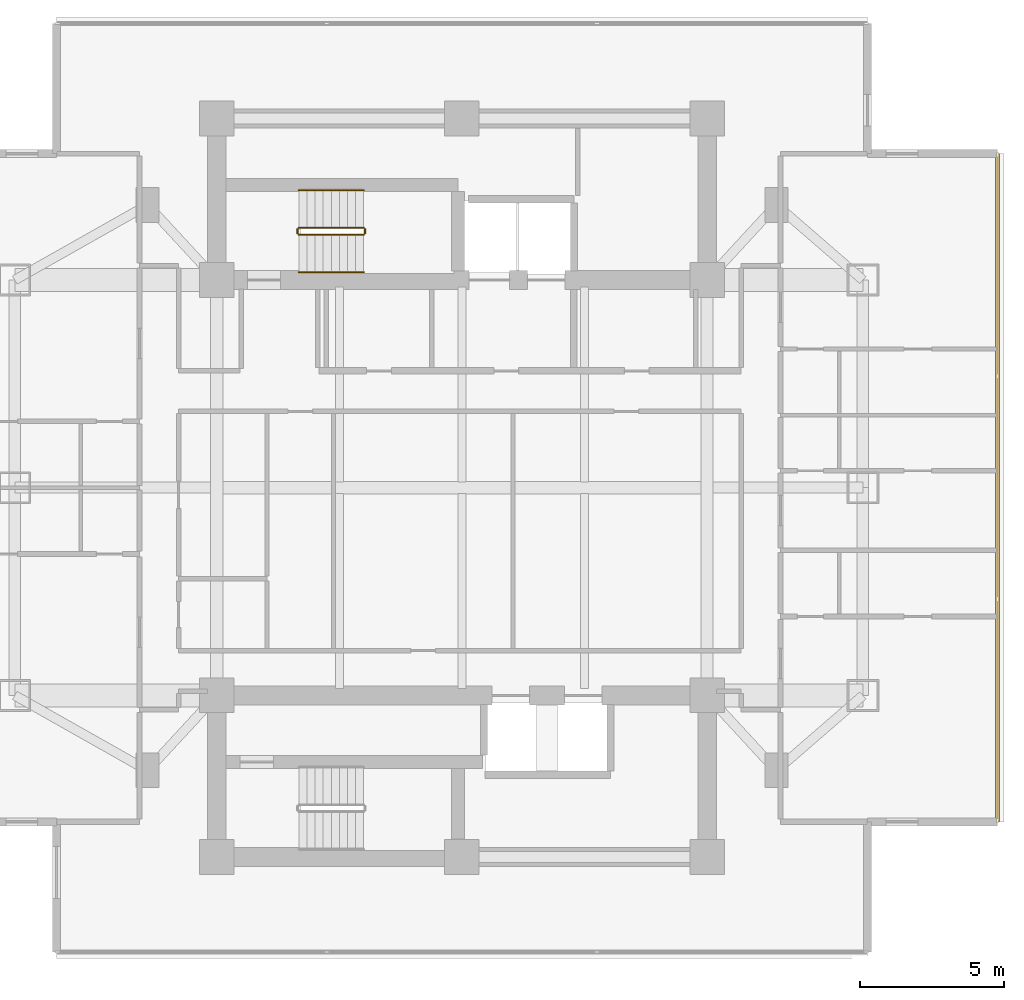
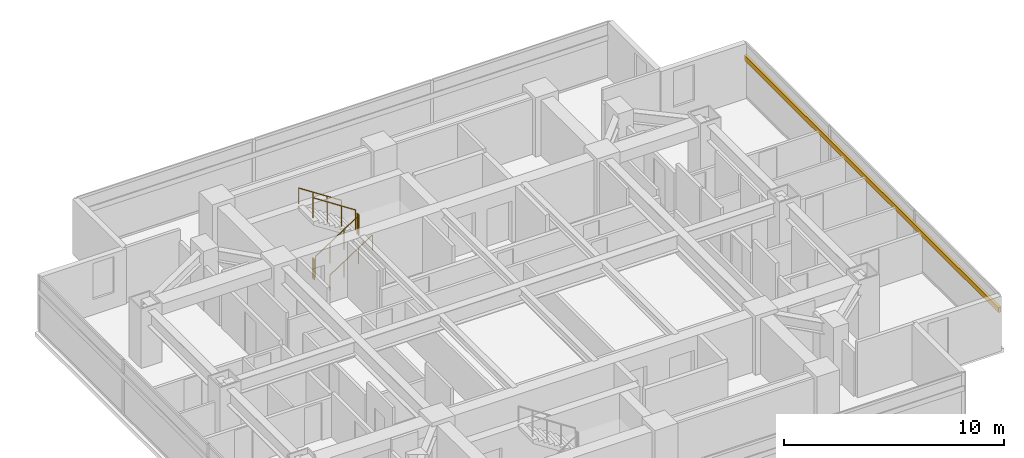
# One storey, part 25 of 26: 6 railings, 1 shading device.
"""IFC4 building model written with IfcOpenShell, lengths in metres."""

import ifcopenshell
import ifcopenshell.guid

model = None  # the IFC model being written
_history = None  # IfcOwnerHistory: only IFC2X3 demands one
_inside = {}  # id of a spatial element -> (the spatial element, [elements in it])
_under = {}  # id of a project, library or spatial element -> (it, [spatial elements below it])
_declared = {}  # id of a project -> (the project, [libraries it declares])
_typed = {}  # id of a type object -> (the type object, [elements of that type])
_made_of = {}  # id of a material, layer set ... -> (it, [elements and type objects made of it])


def new_model(schema):
    """Start an empty IFC model of exactly this schema.

    Asked for "IFC4X3", IfcOpenShell would pick the latest addendum, in which some entities
    have other attributes; the version numbers below select the first issue.
    IFC2X3 requires an IfcOwnerHistory on every rooted entity: one is made here for all.
    """
    global model, _history
    if schema == "IFC4X3":
        model = ifcopenshell.file(schema_version=(4, 3, 0, 0))
    else:
        model = ifcopenshell.file(schema=schema)
    _inside.clear()
    _under.clear()
    _declared.clear()
    _typed.clear()
    _made_of.clear()
    _history = None
    if model.schema == "IFC2X3":
        org = make("IfcOrganization", Name="unknown")
        user = make(
            "IfcPersonAndOrganization",
            ThePerson=make("IfcPerson", FamilyName="unknown"),
            TheOrganization=org,
        )
        app = make(
            "IfcApplication",
            ApplicationDeveloper=org,
            Version="unknown",
            ApplicationFullName="unknown",
            ApplicationIdentifier="unknown",
        )
        _history = make(
            "IfcOwnerHistory",
            OwningUser=user,
            OwningApplication=app,
            ChangeAction="ADDED",
            CreationDate=0,
        )
    return model


def make(cls, **values):
    """One entity of the class cls with the attributes given. An attribute that is None is left unset."""
    return model.create_entity(
        cls, **{name: value for name, value in values.items() if value is not None}
    )


def rooted(cls, **values):
    """An entity with a GlobalId (a new one), such as an element, a storey or a relation."""
    return make(cls, GlobalId=ifcopenshell.guid.new(), OwnerHistory=_history, **values)


def si_unit(unit_type, name, prefix=None):
    """IfcSIUnit, for example si_unit("LENGTHUNIT", "METRE", prefix="MILLI")."""
    return make("IfcSIUnit", UnitType=unit_type, Prefix=prefix, Name=name)


def assignment(units):
    """IfcUnitAssignment: the units of a project."""
    return None if units is None else make("IfcUnitAssignment", Units=units)


def point(xyz):
    """IfcCartesianPoint."""
    return None if xyz is None else make("IfcCartesianPoint", Coordinates=xyz)


def direction(xyz):
    """IfcDirection."""
    return None if xyz is None else make("IfcDirection", DirectionRatios=xyz)


def frame(location, z_axis=None, x_axis=None):
    """IfcAxis2Placement3D, a coordinate frame: its origin and axes. An axis left out is left unset."""
    return make(
        "IfcAxis2Placement3D",
        Location=point(location),
        Axis=direction(z_axis),
        RefDirection=direction(x_axis),
    )


def frame_2d(location, x_axis=None):
    """IfcAxis2Placement2D, a coordinate frame in the plane: its origin and x axis."""
    return make(
        "IfcAxis2Placement2D", Location=point(location), RefDirection=direction(x_axis)
    )


def origin():
    """The frame at (0, 0, 0) with its axes left unset."""
    return frame((0.0, 0.0, 0.0))


def origin_2d():
    """The frame at (0, 0) in the plane with its x axis left unset."""
    return frame_2d((0.0, 0.0))


def place(relative_to, where):
    """IfcLocalPlacement: puts the frame where relative to a parent placement (None: the world)."""
    return make(
        "IfcLocalPlacement", PlacementRelTo=relative_to, RelativePlacement=where
    )


def context(
    kind, dimensions, precision=None, world=None, true_north=None, identifier=None
):
    """IfcGeometricRepresentationContext, for example the 3D "Model" context."""
    return make(
        "IfcGeometricRepresentationContext",
        ContextIdentifier=identifier,
        ContextType=kind,
        CoordinateSpaceDimension=dimensions,
        Precision=precision,
        WorldCoordinateSystem=world,
        TrueNorth=true_north,
    )


def subcontext(parent, identifier, kind, view, scale=None):
    """IfcGeometricRepresentationSubContext, for example "Body" below "Model"."""
    return make(
        "IfcGeometricRepresentationSubContext",
        ContextIdentifier=identifier,
        ContextType=kind,
        ParentContext=parent,
        TargetScale=scale,
        TargetView=view,
    )


def project(units=None, contexts=None):
    """IfcProject with its units and contexts."""
    return rooted(
        "IfcProject",
        Name="project",
        RepresentationContexts=contexts,
        UnitsInContext=assignment(units),
    )


def spatial(cls, under=None, at=None, **own):
    """A site, building, storey or space (cls), placed at a placement, below another one or the project."""
    s = rooted(cls, ObjectPlacement=at, **own)
    if under is not None:
        _under.setdefault(under.id(), (under, []))[1].append(s)
    return s


def profile(cls, at=None, kind="AREA", **sizes):
    """A parametric profile (cls). Its sizes go by their IFC names, for example OverallWidth=200.0."""
    return make(cls, ProfileType=kind, Position=at, **sizes)


def rectangle(**sizes):
    """IfcRectangleProfileDef."""
    return profile("IfcRectangleProfileDef", **sizes)


def circle(**sizes):
    """IfcCircleProfileDef."""
    return profile("IfcCircleProfileDef", **sizes)


def extrude(swept, where, along, depth):
    """IfcExtrudedAreaSolid: the profile swept, set in the frame where, extruded along a direction by depth."""
    return make(
        "IfcExtrudedAreaSolid",
        SweptArea=swept,
        Position=where,
        ExtrudedDirection=direction(along),
        Depth=depth,
    )


def shape(context_of_items, identifier, shape_type, items):
    """IfcShapeRepresentation: the items that make up one representation, for example the "Body"."""
    return make(
        "IfcShapeRepresentation",
        ContextOfItems=context_of_items,
        RepresentationIdentifier=identifier,
        RepresentationType=shape_type,
        Items=items,
    )


def material(Name=None, Category=None):
    """IfcMaterial."""
    return make("IfcMaterial", Name=Name, Category=Category)


def material_profile(
    of_material, cross_section, Name=None, Category=None, Priority=None
):
    """IfcMaterialProfile: a cross section and its material."""
    return make(
        "IfcMaterialProfile",
        Name=Name,
        Material=of_material,
        Profile=cross_section,
        Priority=Priority,
        Category=Category,
    )


def profile_set(profiles, Name=None, composite=None):
    """IfcMaterialProfileSet."""
    return make(
        "IfcMaterialProfileSet",
        Name=Name,
        MaterialProfiles=profiles,
        CompositeProfile=composite,
    )


def made_of(thing, what):
    """Note that an element or type object is made of a material, layer set ...; save() writes the relation."""
    if what is not None:
        _made_of.setdefault(what.id(), (what, []))[1].append(thing)
    return thing


def type_object(cls, material=None, **own):
    """A type object (cls), such as IfcWallType, which elements share."""
    return made_of(rooted(cls, **own), material)


def element(
    cls,
    number,
    at=None,
    inside=None,
    cuts=None,
    type_object=None,
    material=None,
    context=None,
    identifier="Body",
    shape_type=None,
    held_by="IfcProductDefinitionShape",
    body=None,
    shapes=None,
    **own,
):
    """One element of the class cls, such as IfcWall. Its Tag is "e" and its number.

    at: its placement. inside: the storey or other place that contains it. cuts: it is an
    opening in that element (IfcRelVoidsElement). A single representation is given by context,
    identifier, shape_type and body (its items); several are given by shapes. held_by: the class
    of the entity that holds the representations. save() writes the other relations.
    """
    e = rooted(cls, Tag="e%d" % number, ObjectPlacement=at, **own)
    if body is not None:
        shapes = [shape(context, identifier, shape_type, body)]
    if shapes is not None:
        e.Representation = make(held_by, Representations=shapes)
    if inside is not None:
        _inside.setdefault(inside.id(), (inside, []))[1].append(e)
    if cuts is not None:
        rooted(
            "IfcRelVoidsElement", RelatingBuildingElement=cuts, RelatedOpeningElement=e
        )
    if type_object is not None:
        _typed.setdefault(type_object.id(), (type_object, []))[1].append(e)
    return made_of(e, material)


def aggregate(whole, parts):
    """IfcRelAggregates: a whole, such as a stair, and the parts it consists of."""
    return rooted("IfcRelAggregates", RelatingObject=whole, RelatedObjects=parts)


def save(model, path):
    """Write the relations noted so far, then the file.

    IfcRelAggregates (storeys below a building ...), IfcRelContainedInSpatialStructure (elements
    in a storey), IfcRelDefinesByType, IfcRelAssociatesMaterial and IfcRelDeclares: one each for
    every whole, place, type object, material and project.
    """
    for whole, parts in _under.values():
        aggregate(whole, parts)
    for where, things in _inside.values():
        rooted(
            "IfcRelContainedInSpatialStructure",
            RelatedElements=things,
            RelatingStructure=where,
        )
    for kind, things in _typed.values():
        rooted("IfcRelDefinesByType", RelatedObjects=things, RelatingType=kind)
    for what, things in _made_of.values():
        rooted("IfcRelAssociatesMaterial", RelatedObjects=things, RelatingMaterial=what)
    for by, libraries in _declared.values():
        rooted("IfcRelDeclares", RelatingContext=by, RelatedDefinitions=libraries)
    model.write(path)


model = new_model("IFC4")

# Units and contexts
model_context = context("Model", 3, precision=1e-05, world=origin(), true_north=direction((0.0, 1.0)))
body_context = subcontext(model_context, "Body", "Model", "MODEL_VIEW")
ifc_project = project(units=[si_unit("LENGTHUNIT", "METRE"), si_unit("AREAUNIT", "SQUARE_METRE"), si_unit("VOLUMEUNIT", "CUBIC_METRE"), si_unit("PLANEANGLEUNIT", "RADIAN"), si_unit("MASSUNIT", "GRAM", prefix="KILO")], contexts=[model_context])

# Site, building, storey
site_placement = place(None, origin())
site = spatial("IfcSite", under=ifc_project, at=site_placement, CompositionType="ELEMENT")
building_placement = place(site_placement, origin())
building = spatial("IfcBuilding", under=site, at=building_placement, Name="Mirazonda Arch Towers", CompositionType="ELEMENT")
storey_placement = place(building_placement, frame((0.0, 0.0, 108.199951171875)))
storey = spatial("IfcBuildingStorey", under=building, at=storey_placement, Name="L30", CompositionType="ELEMENT", Elevation=108.199951171875)

# Shading device
ifc_material_1 = material(Name="Kiln-Fired Architectural Terracotta", Category="masonry")
ifc_material_profile = material_profile(ifc_material_1, rectangle(XDim=0.139892578125, YDim=0.280029296875, at=origin_2d()), Name="TERRA-BAG-140x280")
ifc_profile_set = profile_set([ifc_material_profile], Name="Kiln-Fired Architectural Terracotta")
shading_device_type = type_object("IfcShadingDeviceType", Name="BAGUETTE-3", PredefinedType="USERDEFINED", material=ifc_profile_set)
shading_device_placement = place(storey_placement, frame((95.070556640625, 16.4189453125, 2.203369140625), z_axis=(0.0, 1.0, 0.0), x_axis=(-1.0, 0.0, 0.0)))
element("IfcShadingDevice", 1, at=shading_device_placement, inside=storey, type_object=shading_device_type, Name="L30 Glazed Terracotta Sun-Screen Baguette CW-L30-T2-E", ObjectType="BAGUETTE", PredefinedType="USERDEFINED", context=body_context, shape_type="SweptSolid", body=[
    extrude(rectangle(XDim=0.139892578125, YDim=0.280029296875, at=origin_2d()), origin(), (0.0, 0.0, 1.0), 23.162109375),
])

# Railings
ifc_material_2 = material(Name="Architectural Brushed Steel S355", Category="steel")
railing_type_1 = type_object("IfcRailingType", Name="GUARD-STAIR-1120", PredefinedType="GUARDRAIL", material=ifc_material_2)
railing_1_placement = place(storey_placement, frame((70.85009765625, 36.77001953125, 0.183349609375)))
element("IfcRailing", 2, at=railing_1_placement, inside=storey, type_object=railing_type_1, Name="L30 ST-T2N stair guard 1", PredefinedType="GUARDRAIL", context=body_context, shape_type="SweptSolid", body=[
    extrude(circle(Radius=0.02392578125, at=origin_2d()), frame((0.0, 0.0, 1.1259765625), z_axis=(0.836595146698, 0.0, 0.547821650285), x_axis=(0.0, 1.0, 0.0)), (0.0, 0.0, 1.0), 2.677490234375),
    extrude(circle(Radius=0.02099609375, at=origin_2d()), origin(), (0.0, 0.0, 1.0), 1.101806640625),
    extrude(circle(Radius=0.02099609375, at=origin_2d()), frame((0.74658203125, 0.0, 0.489013671875)), (0.0, 0.0, 1.0), 1.101806640625),
    extrude(circle(Radius=0.02099609375, at=origin_2d()), frame((1.493408203125, 0.0, 0.977783203125)), (0.0, 0.0, 1.0), 1.101806640625),
    extrude(circle(Radius=0.02099609375, at=origin_2d()), frame((2.239990234375, 0.0, 1.466796875)), (0.0, 0.0, 1.0), 1.101806640625),
])
railing_2_placement = place(storey_placement, frame((73.139892578125, 36.820068359375, 1.650146484375)))
element("IfcRailing", 3, at=railing_2_placement, inside=storey, type_object=railing_type_1, Name="L30 ST-T2N stair guard 2", PredefinedType="GUARDRAIL", context=body_context, shape_type="SweptSolid", body=[
    extrude(circle(Radius=0.02392578125, at=origin_2d()), frame((0.0, 0.0, 1.1259765625), z_axis=(0.0, 1.0, 0.0), x_axis=(-1.0, 0.0, 0.0)), (0.0, 0.0, 1.0), 0.139892578125),
    extrude(circle(Radius=0.02099609375, at=origin_2d()), origin(), (0.0, 0.0, 1.0), 1.101806640625),
    extrude(circle(Radius=0.02099609375, at=origin_2d()), frame((0.0, 0.139892578125, 0.0)), (0.0, 0.0, 1.0), 1.101806640625),
])
railing_3_placement = place(storey_placement, frame((73.090087890625, 37.010009765625, 1.83349609375)))
element("IfcRailing", 4, at=railing_3_placement, inside=storey, type_object=railing_type_1, Name="L30 ST-T2N stair guard 3", PredefinedType="GUARDRAIL", context=body_context, shape_type="SweptSolid", body=[
    extrude(circle(Radius=0.02392578125, at=origin_2d()), frame((0.0, 0.0, 1.1259765625), z_axis=(-0.836636935527, 0.0, 0.547757827979), x_axis=(0.0, -1.0, 0.0)), (0.0, 0.0, 1.0), 2.677490234375),
    extrude(circle(Radius=0.02099609375, at=origin_2d()), origin(), (0.0, 0.0, 1.0), 1.101806640625),
    extrude(circle(Radius=0.02099609375, at=origin_2d()), frame((-0.74658203125, 0.0, 0.48876953125)), (0.0, 0.0, 1.0), 1.101806640625),
    extrude(circle(Radius=0.02099609375, at=origin_2d()), frame((-1.493408203125, 0.0, 0.977783203125)), (0.0, 0.0, 1.0), 1.101806640625),
    extrude(circle(Radius=0.02099609375, at=origin_2d()), frame((-2.239990234375, 0.0, 1.466552734375)), (0.0, 0.0, 1.0), 1.101806640625),
])
railing_4_placement = place(storey_placement, frame((70.800048828125, 36.820068359375, 0.0)))
element("IfcRailing", 5, at=railing_4_placement, inside=storey, type_object=railing_type_1, Name="L30 ST-T2N stair guard 4", PredefinedType="GUARDRAIL", context=body_context, shape_type="SweptSolid", body=[
    extrude(circle(Radius=0.02392578125, at=origin_2d()), frame((0.0, 0.0, 1.1259765625), z_axis=(0.0, 1.0, 0.0), x_axis=(-1.0, 0.0, 0.0)), (0.0, 0.0, 1.0), 0.139892578125),
    extrude(circle(Radius=0.02099609375, at=origin_2d()), origin(), (0.0, 0.0, 1.0), 1.101806640625),
    extrude(circle(Radius=0.02099609375, at=origin_2d()), frame((0.0, 0.139892578125, 0.0)), (0.0, 0.0, 1.0), 1.101806640625),
])
railing_type_2 = type_object("IfcRailingType", Name="HANDRAIL-915", PredefinedType="HANDRAIL", material=ifc_material_2)
railing_5_placement = place(storey_placement, frame((70.85009765625, 35.469970703125, 0.183349609375)))
element("IfcRailing", 6, at=railing_5_placement, inside=storey, type_object=railing_type_2, Name="L30 ST-T2N stair handrail 1", PredefinedType="HANDRAIL", context=body_context, shape_type="SweptSolid", body=[
    extrude(circle(Radius=0.02392578125, at=origin_2d()), frame((0.0, 0.0, 0.8759765625), z_axis=(0.836595146698, 0.0, 0.547821650285), x_axis=(0.0, 1.0, 0.0)), (0.0, 0.0, 1.0), 2.677490234375),
    extrude(circle(Radius=0.02099609375, at=origin_2d()), origin(), (0.0, 0.0, 1.0), 0.851806640625),
    extrude(circle(Radius=0.02099609375, at=origin_2d()), frame((0.74658203125, 0.0, 0.489013671875)), (0.0, 0.0, 1.0), 0.851806640625),
    extrude(circle(Radius=0.02099609375, at=origin_2d()), frame((1.493408203125, 0.0, 0.977783203125)), (0.0, 0.0, 1.0), 0.851806640625),
    extrude(circle(Radius=0.02099609375, at=origin_2d()), frame((2.239990234375, 0.0, 1.466796875)), (0.0, 0.0, 1.0), 0.851806640625),
])
railing_6_placement = place(storey_placement, frame((73.090087890625, 38.31005859375, 1.83349609375)))
element("IfcRailing", 7, at=railing_6_placement, inside=storey, type_object=railing_type_2, Name="L30 ST-T2N stair handrail 2", PredefinedType="HANDRAIL", context=body_context, shape_type="SweptSolid", body=[
    extrude(circle(Radius=0.02392578125, at=origin_2d()), frame((0.0, 0.0, 0.8759765625), z_axis=(-0.836636935527, 0.0, 0.547757827979), x_axis=(0.0, -1.0, 0.0)), (0.0, 0.0, 1.0), 2.677490234375),
    extrude(circle(Radius=0.02099609375, at=origin_2d()), origin(), (0.0, 0.0, 1.0), 0.851806640625),
    extrude(circle(Radius=0.02099609375, at=origin_2d()), frame((-0.74658203125, 0.0, 0.48876953125)), (0.0, 0.0, 1.0), 0.851806640625),
    extrude(circle(Radius=0.02099609375, at=origin_2d()), frame((-1.493408203125, 0.0, 0.977783203125)), (0.0, 0.0, 1.0), 0.851806640625),
    extrude(circle(Radius=0.02099609375, at=origin_2d()), frame((-2.239990234375, 0.0, 1.466552734375)), (0.0, 0.0, 1.0), 0.851806640625),
])

save(model, "model.ifc")
